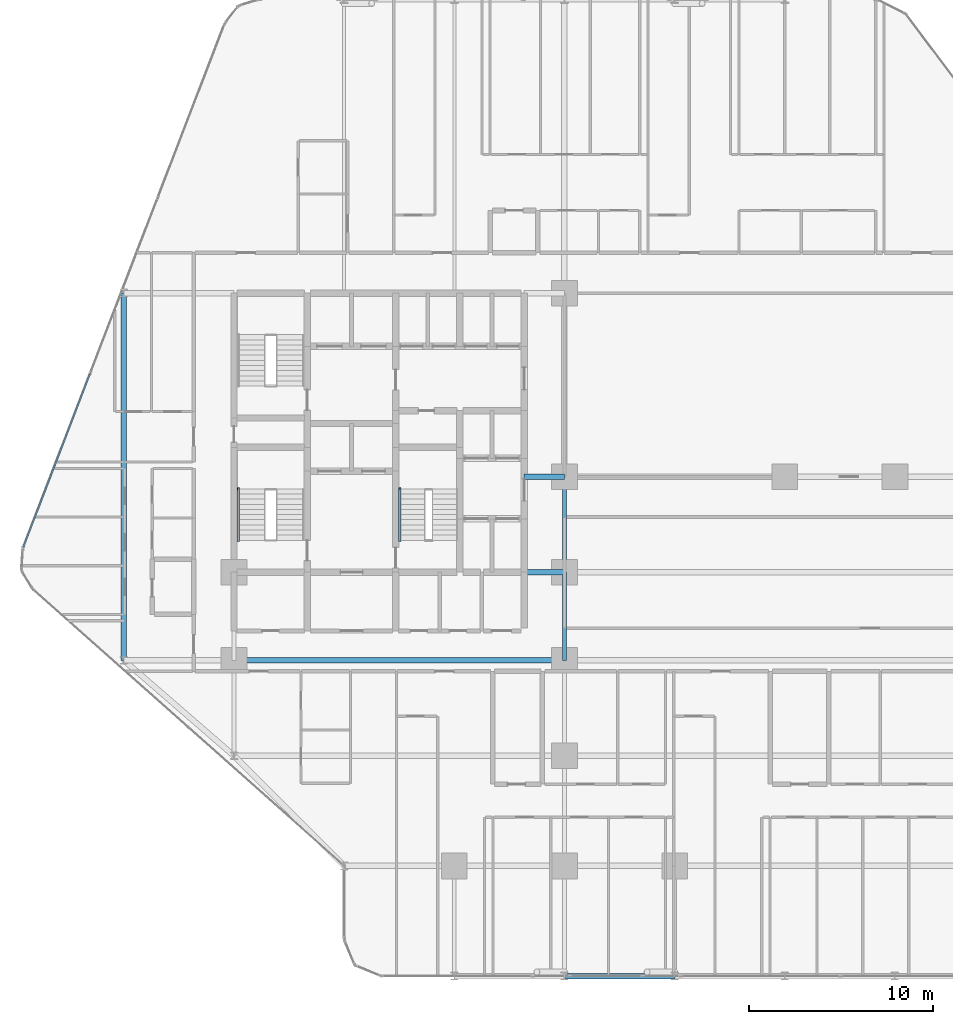
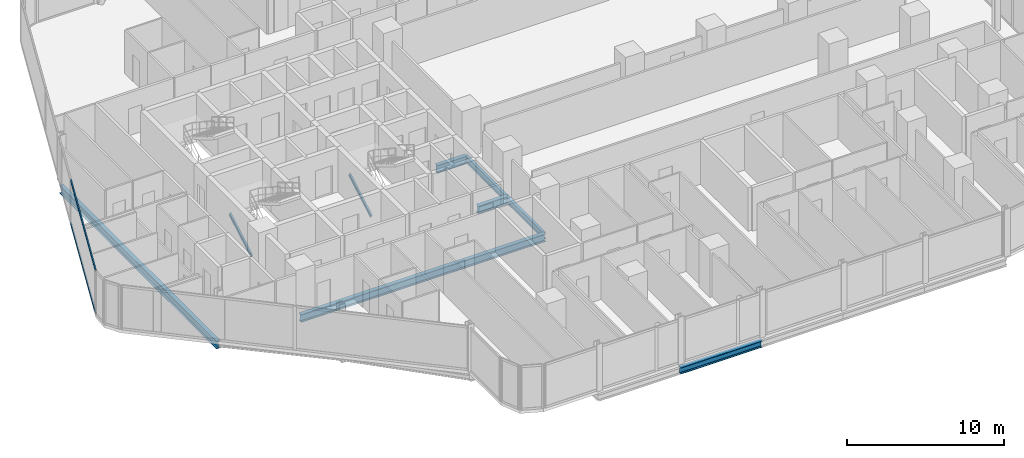
# One storey, part 6 of 33: 7 beams, 4 members, 1 element without a shape of its own.
"""IFC4 building model written with IfcOpenShell, lengths in metres."""

from ifc_helpers import new_model, si_unit, direction, frame, origin, origin_2d, place, context, subcontext, project, spatial, hollow_rectangle, i_section, extrude, material, layer, layer_set, material_profile, profile_set, type_object, element, aggregate, save


model = new_model("IFC4")

# Units and contexts
model_context = context("Model", 3, precision=1e-05, world=origin(), true_north=direction((0.0, 1.0)))
body_context = subcontext(model_context, "Body", "Model", "MODEL_VIEW")
ifc_project = project(units=[si_unit("LENGTHUNIT", "METRE"), si_unit("AREAUNIT", "SQUARE_METRE"), si_unit("VOLUMEUNIT", "CUBIC_METRE"), si_unit("PLANEANGLEUNIT", "RADIAN"), si_unit("MASSUNIT", "GRAM", prefix="KILO")], contexts=[model_context])

# Site, building, storey
site_placement = place(None, origin())
site = spatial("IfcSite", under=ifc_project, at=site_placement, CompositionType="ELEMENT")
building_placement = place(site_placement, origin())
building = spatial("IfcBuilding", under=site, at=building_placement, Name="Keshet Zoharim Tower", CompositionType="ELEMENT")
storey_placement = place(building_placement, frame((0.0, 0.0, 35.10009765625)))
storey = spatial("IfcBuildingStorey", under=building, at=storey_placement, Name="L07", CompositionType="ELEMENT", Elevation=35.10009765625)

# Beams
ifc_material_1 = material(Name="Steel S355", Category="steel")
ifc_material_profile_1 = material_profile(ifc_material_1, i_section(OverallWidth=0.300048828125, OverallDepth=0.60009765625, WebThickness=0.015380859375, FlangeThickness=0.030029296875, FilletRadius=0.027099609375, at=origin_2d()), Name="HEB600")
ifc_profile_set_1 = profile_set([ifc_material_profile_1], Name="Steel S355")
beam_type_1 = type_object("IfcBeamType", Name="BM-CLK-HB600", PredefinedType="BEAM", material=ifc_profile_set_1)
for number, where, z_axis, x_axis, name in (
    (1, (30.800048828125, 22.699951171875, -0.614990234375), (1.0, 0.0, 0.0), (0.0, 1.0, 0.0), "L07 Core Wall Link Girder 01"),
    (2, (30.800048828125, 27.89990234375, -0.614990234375), (1.0, 0.0, 0.0), (0.0, 1.0, 0.0), "L07 Core Wall Link Girder 02"),
):
    element("IfcBeam", number, at=place(storey_placement, frame(where, z_axis=z_axis, x_axis=x_axis)), inside=storey, type_object=beam_type_1, Name=name, PredefinedType="BEAM", context=body_context, shape_type="SweptSolid", body=[
        extrude(i_section(OverallWidth=0.300048828125, OverallDepth=0.60009765625, WebThickness=0.015380859375, FlangeThickness=0.030029296875, FilletRadius=0.027099609375, at=origin_2d()), origin(), (0.0, 0.0, 1.0), 2.199951171875),
    ])
ifc_material_profile_2 = material_profile(ifc_material_1, i_section(OverallWidth=0.300048828125, OverallDepth=0.60009765625, WebThickness=0.015380859375, FlangeThickness=0.030029296875, FilletRadius=0.027099609375, at=origin_2d()), Name="HEB600")
ifc_profile_set_2 = profile_set([ifc_material_profile_2], Name="Steel S355")
beam_type_2 = type_object("IfcBeamType", Name="BM-LNG-HB600", PredefinedType="BEAM", material=ifc_profile_set_2)
beam_1_placement = place(storey_placement, frame((15.0, 17.89990234375, -0.614990234375), z_axis=(1.0, 0.0, 0.0), x_axis=(0.0, 1.0, 0.0)))
element("IfcBeam", 3, at=beam_1_placement, inside=storey, type_object=beam_type_2, Name="L07 Primary Girder X-016", PredefinedType="BEAM", context=body_context, shape_type="SweptSolid", body=[
    extrude(i_section(OverallWidth=0.300048828125, OverallDepth=0.60009765625, WebThickness=0.015380859375, FlangeThickness=0.030029296875, FilletRadius=0.027099609375, at=origin_2d()), origin(), (0.0, 0.0, 1.0), 18.0),
])
beam_2_placement = place(storey_placement, frame((9.0, 17.89990234375, -0.614990234375), z_axis=(0.0, 1.0, 0.0), x_axis=(-1.0, 0.0, 0.0)))
element("IfcBeam", 4, at=beam_2_placement, inside=storey, type_object=beam_type_2, Name="L07 Primary Girder Y-001", PredefinedType="BEAM", context=body_context, shape_type="SweptSolid", body=[
    extrude(i_section(OverallWidth=0.300048828125, OverallDepth=0.60009765625, WebThickness=0.015380859375, FlangeThickness=0.030029296875, FilletRadius=0.027099609375, at=origin_2d()), origin(), (0.0, 0.0, 1.0), 20.0),
])
ifc_material_profile_3 = material_profile(ifc_material_1, i_section(OverallWidth=0.199951171875, OverallDepth=0.5, WebThickness=0.01025390625, FlangeThickness=0.01611328125, FilletRadius=0.02099609375, at=origin_2d()), Name="IPE500")
ifc_profile_set_3 = profile_set([ifc_material_profile_3], Name="Steel S355")
beam_type_3 = type_object("IfcBeamType", Name="BM-PRI-IP500", PredefinedType="BEAM", material=ifc_profile_set_3)
beam_3_placement = place(storey_placement, frame((33.0, 17.89990234375, -0.565185546875), z_axis=(0.0, 1.0, 0.0), x_axis=(-1.0, 0.0, 0.0)))
element("IfcBeam", 5, at=beam_3_placement, inside=storey, type_object=beam_type_3, Name="L07 Primary Girder Y-008", PredefinedType="BEAM", context=body_context, shape_type="SweptSolid", body=[
    extrude(i_section(OverallWidth=0.199951171875, OverallDepth=0.5, WebThickness=0.01025390625, FlangeThickness=0.01611328125, FilletRadius=0.02099609375, at=origin_2d()), origin(), (0.0, 0.0, 1.0), 4.800048828125),
])
beam_4_placement = place(storey_placement, frame((33.0, 22.699951171875, -0.565185546875), z_axis=(0.0, 1.0, 0.0), x_axis=(-1.0, 0.0, 0.0)))
element("IfcBeam", 6, at=beam_4_placement, inside=storey, type_object=beam_type_3, Name="L07 Primary Girder Y-009", PredefinedType="BEAM", context=body_context, shape_type="SweptSolid", body=[
    extrude(i_section(OverallWidth=0.199951171875, OverallDepth=0.5, WebThickness=0.01025390625, FlangeThickness=0.01611328125, FilletRadius=0.02099609375, at=origin_2d()), origin(), (0.0, 0.0, 1.0), 5.199951171875),
])
ifc_material_profile_4 = material_profile(ifc_material_1, i_section(OverallWidth=0.300048828125, OverallDepth=0.5, WebThickness=0.014404296875, FlangeThickness=0.028076171875, FilletRadius=0.027099609375, at=origin_2d()), Name="HEB500")
ifc_profile_set_4 = profile_set([ifc_material_profile_4], Name="Steel S355")
beam_type_4 = type_object("IfcBeamType", Name="BM-WEB-HB500", PredefinedType="BEAM", material=ifc_profile_set_4)
beam_5_placement = place(storey_placement, frame((33.0, 0.699951171875, -0.565185546875), z_axis=(1.0, 0.0, 0.0), x_axis=(0.0, 1.0, 0.0)))
element("IfcBeam", 7, at=beam_5_placement, inside=storey, type_object=beam_type_4, Name="L07 Primary Girder X-002", PredefinedType="BEAM", context=body_context, shape_type="SweptSolid", body=[
    extrude(i_section(OverallWidth=0.300048828125, OverallDepth=0.5, WebThickness=0.014404296875, FlangeThickness=0.028076171875, FilletRadius=0.027099609375, at=origin_2d()), origin(), (0.0, 0.0, 1.0), 6.0),
])

# Curtain wall, members
ifc_material_2 = material(Name="Aluminium 6063-T6", Category="aluminium")
ifc_layer = layer(ifc_material_2, 0.179931640625)
ifc_layer_set = layer_set([ifc_layer], Name="Aluminium 6063-T6")
curtain_wall_type = type_object("IfcCurtainWallType", Name="CW-SYS-01", PredefinedType="NOTDEFINED", material=ifc_layer_set)
curtain_wall_placement = place(storey_placement, origin())
curtain_wall = element("IfcCurtainWall", 8, at=curtain_wall_placement, inside=storey, type_object=curtain_wall_type, Name="L07 Unitised Curtain Wall 04", PredefinedType="NOTDEFINED")
ifc_material_profile_5 = material_profile(ifc_material_2, hollow_rectangle(XDim=0.0849609375, YDim=0.159912109375, WallThickness=0.00439453125, at=origin_2d()), Name="TRN-85x160")
ifc_profile_set_5 = profile_set([ifc_material_profile_5], Name="Aluminium 6063-T6")
member_type_1 = type_object("IfcMemberType", Name="CWT-T16", PredefinedType="USERDEFINED", material=ifc_profile_set_5)
member_1_placement = place(storey_placement, frame((3.522216796875, 24.058349609375, 0.034912109375), z_axis=(0.358993631387, 0.93334000912, 0.0), x_axis=(-0.93334000912, 0.358993631387, 0.0)))
member_1 = element("IfcMember", 9, at=member_1_placement, type_object=member_type_1, Name="CW-01 transom 1.1", ObjectType="TRANSOM", PredefinedType="USERDEFINED", context=body_context, shape_type="SweptSolid", body=[
    extrude(hollow_rectangle(XDim=0.0849609375, YDim=0.159912109375, WallThickness=0.00439453125, at=origin_2d()), origin(), (0.0, 0.0, 1.0), 10.1181640625),
])
member_2_placement = place(storey_placement, frame((3.522216796875, 24.058349609375, 3.349853515625), z_axis=(0.358993631387, 0.93334000912, 0.0), x_axis=(-0.93334000912, 0.358993631387, 0.0)))
member_2 = element("IfcMember", 10, at=member_2_placement, type_object=member_type_1, Name="CW-01 transom 1.2", ObjectType="TRANSOM", PredefinedType="USERDEFINED", context=body_context, shape_type="SweptSolid", body=[
    extrude(hollow_rectangle(XDim=0.0849609375, YDim=0.159912109375, WallThickness=0.00439453125, at=origin_2d()), origin(), (0.0, 0.0, 1.0), 10.1181640625),
])
aggregate(curtain_wall, [member_1, member_2])

# Members
ifc_material_profile_6 = material_profile(ifc_material_1, i_section(OverallWidth=0.1201171875, OverallDepth=0.239990234375, WebThickness=0.006103515625, FlangeThickness=0.009765625, FilletRadius=0.014892578125, at=origin_2d()), Name="IPE240")
ifc_profile_set_6 = profile_set([ifc_material_profile_6], Name="Steel S355")
member_type_2 = type_object("IfcMemberType", Name="MB-STRG-IP240", PredefinedType="STRINGER", material=ifc_profile_set_6)
for number, where, z_axis, x_axis, name in (
    (11, (15.22998046875, 24.43994140625, 0.119873046875), (0.0, 0.86689568745, 0.49848958573), (-1.0, 0.0, 0.0), "L07 ST-01 Flight Steel Stringer"),
    (12, (24.030029296875, 24.43994140625, 0.119873046875), (0.0, 0.86689568745, 0.49848958573), (-1.0, 0.0, 0.0), "L07 ST-03 Flight Steel Stringer"),
):
    element("IfcMember", number, at=place(storey_placement, frame(where, z_axis=z_axis, x_axis=x_axis)), inside=storey, type_object=member_type_2, Name=name, PredefinedType="STRINGER", context=body_context, shape_type="SweptSolid", body=[
        extrude(i_section(OverallWidth=0.1201171875, OverallDepth=0.239990234375, WebThickness=0.006103515625, FlangeThickness=0.009765625, FilletRadius=0.014892578125, at=origin_2d()), origin(), (0.0, 0.0, 1.0), 3.22998046875),
    ])

save(model, "model.ifc")
